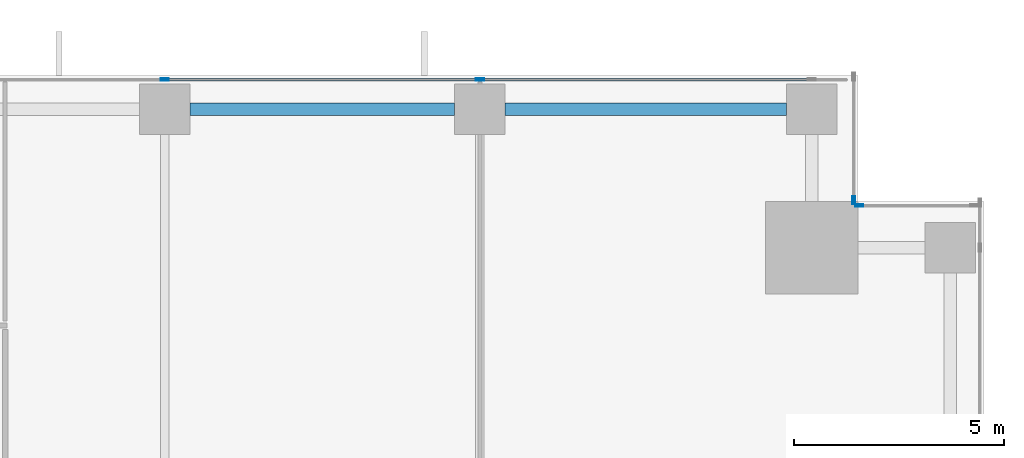
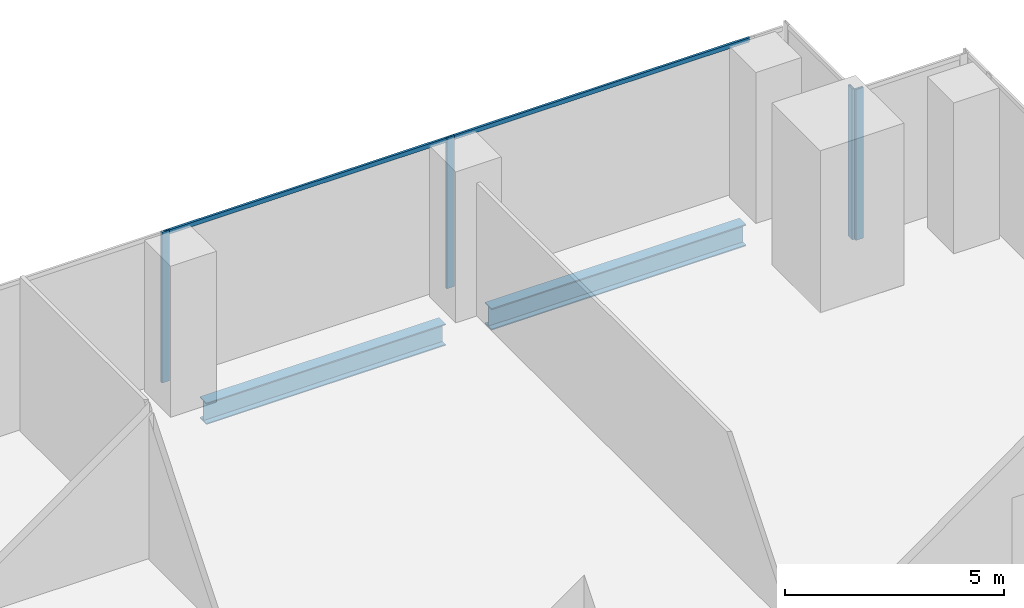
# One storey, part 18 of 32: 6 members, 2 beams, 3 elements without a shape of their own.
"""IFC4 building model written with IfcOpenShell, lengths in metres."""

from ifc_helpers import new_model, si_unit, direction, frame, origin, origin_2d, place, context, subcontext, project, spatial, hollow_rectangle, i_section, extrude, source, transform, mapped, material, material_profile, profile_set, type_object, element, aggregate, save


model = new_model("IFC4")

# Units and contexts
model_context = context("Model", 3, precision=1e-05, world=origin(), true_north=direction((0.0, 1.0)))
body_context = subcontext(model_context, "Body", "Model", "MODEL_VIEW")
ifc_project = project(units=[si_unit("LENGTHUNIT", "METRE"), si_unit("AREAUNIT", "SQUARE_METRE"), si_unit("VOLUMEUNIT", "CUBIC_METRE"), si_unit("PLANEANGLEUNIT", "RADIAN"), si_unit("MASSUNIT", "GRAM", prefix="KILO")], contexts=[model_context])

# Site, building, storey
site_placement = place(None, origin())
site = spatial("IfcSite", under=ifc_project, at=site_placement, CompositionType="ELEMENT")
building_placement = place(site_placement, origin())
building = spatial("IfcBuilding", under=site, at=building_placement, Name="Khomas Fold Tower", CompositionType="ELEMENT")
storey_placement = place(building_placement, frame((0.0, 0.0, 42.0)))
storey = spatial("IfcBuildingStorey", under=building, at=storey_placement, Name="L08", CompositionType="ELEMENT", Elevation=42.0)

# Beams
ifc_material_1 = material(Name="Steel S355", Category="steel")
ifc_material_profile_1 = material_profile(ifc_material_1, i_section(OverallWidth=0.300048828125, OverallDepth=0.60009765625, WebThickness=0.015380859375, FlangeThickness=0.030029296875, at=origin_2d()), Name="HE 600 B")
ifc_profile_set_1 = profile_set([ifc_material_profile_1], Name="Steel S355")
beam_type = type_object("IfcBeamType", Name="HE 600 B spandrel SB1", PredefinedType="SPANDREL", material=ifc_profile_set_1)
shared_shape_1 = source(origin(), body_context, "Body", "SweptSolid", [
    extrude(i_section(OverallWidth=0.300048828125, OverallDepth=0.60009765625, WebThickness=0.015380859375, FlangeThickness=0.030029296875, at=origin_2d()), origin(), (0.0, 0.0, 1.0), 6.699951171875),
])
beam_1_placement = place(storey_placement, frame((42.60009765625, 53.199951171875, -0.60009765625), z_axis=(1.0, 0.0, 0.0), x_axis=(0.0, 1.0, 0.0)))
element("IfcBeam", 1, at=beam_1_placement, inside=storey, type_object=beam_type, Name="SB1", PredefinedType="SPANDREL", context=body_context, shape_type="MappedRepresentation", body=[
    mapped(shared_shape_1, transform((0.0, 0.0, 0.0))),
])
shared_shape_2 = source(origin(), body_context, "Body", "SweptSolid", [
    extrude(i_section(OverallWidth=0.300048828125, OverallDepth=0.60009765625, WebThickness=0.015380859375, FlangeThickness=0.030029296875, at=origin_2d()), origin(), (0.0, 0.0, 1.0), 6.2998046875),
])
beam_2_placement = place(storey_placement, frame((35.10009765625, 53.199951171875, -0.60009765625), z_axis=(1.0, 0.0, 0.0), x_axis=(0.0, 1.0, 0.0)))
element("IfcBeam", 2, at=beam_2_placement, inside=storey, type_object=beam_type, Name="SB1", PredefinedType="SPANDREL", context=body_context, shape_type="MappedRepresentation", body=[
    mapped(shared_shape_2, transform((0.0, 0.0, 0.0))),
])

# Curtain wall, members
ifc_material_2 = material(Name="Aluminium framed double glazing", Category="aluminium")
curtain_wall_type = type_object("IfcCurtainWallType", Name="SK-Unitised clear-glass wall, growing floors CW1", PredefinedType="NOTDEFINED", material=ifc_material_2)
curtain_wall_1_placement = place(storey_placement, origin())
curtain_wall_1 = element("IfcCurtainWall", 3, at=curtain_wall_1_placement, inside=storey, type_object=curtain_wall_type, Name="CW1 run L08 06-0", PredefinedType="NOTDEFINED")
ifc_material_3 = material(Name="Aluminium", Category="aluminium")
ifc_material_profile_2 = material_profile(ifc_material_3, hollow_rectangle(XDim=0.06005859375, YDim=0.1201171875, WallThickness=0.00390625, at=origin_2d()), Name="SK-Unitised clear-glass wall, growing floors transom CW1-T")
ifc_profile_set_2 = profile_set([ifc_material_profile_2], Name="Aluminium")
member_type_1 = type_object("IfcMemberType", Name="SK-Unitised clear-glass wall, growing floors transom CW1-T", PredefinedType="USERDEFINED", material=ifc_profile_set_2)
shared_shape_3 = source(origin(), body_context, "Body", "SweptSolid", [
    extrude(hollow_rectangle(XDim=0.06005859375, YDim=0.1201171875, WallThickness=0.00390625, at=origin_2d()), origin(), (0.0, 0.0, 1.0), 7.840087890625),
])
member_1_placement = place(storey_placement, frame((49.8701171875, 53.89990234375, 4.139892578125), z_axis=(-1.0, 0.0, 0.0), x_axis=(0.0, -1.0, 0.0)))
member_1 = element("IfcMember", 4, at=member_1_placement, type_object=member_type_1, Name="CW1 transom 2", ObjectType="TRANSOM", PredefinedType="USERDEFINED", context=body_context, shape_type="MappedRepresentation", body=[
    mapped(shared_shape_3, transform((0.0, 0.0, 0.0))),
])
shared_shape_4 = source(origin(), body_context, "Body", "SweptSolid", [
    extrude(hollow_rectangle(XDim=0.06005859375, YDim=0.1201171875, WallThickness=0.00390625, at=origin_2d()), origin(), (0.0, 0.0, 1.0), 7.43994140625),
])
member_2_placement = place(storey_placement, frame((41.969970703125, 53.89990234375, 4.139892578125), z_axis=(-1.0, 0.0, 0.0), x_axis=(0.0, -1.0, 0.0)))
member_2 = element("IfcMember", 5, at=member_2_placement, type_object=member_type_1, Name="CW1 transom 3", ObjectType="TRANSOM", PredefinedType="USERDEFINED", context=body_context, shape_type="MappedRepresentation", body=[
    mapped(shared_shape_4, transform((0.0, 0.0, 0.0))),
])

# Curtain wall, member
curtain_wall_2_placement = place(storey_placement, origin())
curtain_wall_2 = element("IfcCurtainWall", 6, at=curtain_wall_2_placement, inside=storey, type_object=curtain_wall_type, Name="CW1 corner return L08 04", PredefinedType="NOTDEFINED")
ifc_material_4 = material(Name="Aluminium", Category="aluminium")
ifc_material_profile_3 = material_profile(ifc_material_4, hollow_rectangle(XDim=0.06005859375, YDim=0.199951171875, WallThickness=0.00390625, at=origin_2d()), Name="SK-Unitised clear-glass wall, growing floors mullion CW1-M")
ifc_profile_set_3 = profile_set([ifc_material_profile_3], Name="Aluminium")
member_type_2 = type_object("IfcMemberType", Name="SK-Unitised clear-glass wall, growing floors mullion CW1-M", PredefinedType="MULLION", material=ifc_profile_set_3)
shared_shape_5 = source(origin(), body_context, "Body", "SweptSolid", [
    extrude(hollow_rectangle(XDim=0.06005859375, YDim=0.199951171875, WallThickness=0.00390625, at=origin_2d()), origin(), (0.0, 0.0, 1.0), 4.199951171875),
])
member_3_placement = place(storey_placement, frame((51.030029296875, 50.89990234375, 0.0), z_axis=(0.0, 0.0, 1.0), x_axis=(0.0, -1.0, 0.0)))
member_3 = element("IfcMember", 7, at=member_3_placement, type_object=member_type_2, Name="CW1 mullion 2", PredefinedType="MULLION", context=body_context, shape_type="MappedRepresentation", body=[
    mapped(shared_shape_5, transform((0.0, 0.0, 0.0))),
])
aggregate(curtain_wall_2, [member_3])

curtain_wall_3_placement = place(storey_placement, origin())
curtain_wall_3 = element("IfcCurtainWall", 8, at=curtain_wall_3_placement, inside=storey, type_object=curtain_wall_type, Name="CW1 corner return L08 05", PredefinedType="NOTDEFINED")
member_4_placement = place(storey_placement, frame((50.89990234375, 51.030029296875, 0.0), z_axis=(0.0, 0.0, 1.0), x_axis=(-1.0, 0.0, 0.0)))
member_4 = element("IfcMember", 9, at=member_4_placement, type_object=member_type_2, Name="CW1 mullion 1", PredefinedType="MULLION", context=body_context, shape_type="MappedRepresentation", body=[
    mapped(shared_shape_5, transform((0.0, 0.0, 0.0))),
])
aggregate(curtain_wall_3, [member_4])

# Member
member_5_placement = place(storey_placement, frame((42.0, 53.89990234375, 0.0), z_axis=(0.0, 0.0, 1.0), x_axis=(0.0, -1.0, 0.0)))
member_5 = element("IfcMember", 10, at=member_5_placement, type_object=member_type_2, Name="CW1 mullion 3", PredefinedType="MULLION", context=body_context, shape_type="MappedRepresentation", body=[
    mapped(shared_shape_5, transform((0.0, 0.0, 0.0))),
])

member_6_placement = place(storey_placement, frame((34.5, 53.89990234375, 0.0), z_axis=(0.0, 0.0, 1.0), x_axis=(0.0, -1.0, 0.0)))
member_6 = element("IfcMember", 11, at=member_6_placement, type_object=member_type_2, Name="CW1 mullion 4", PredefinedType="MULLION", context=body_context, shape_type="MappedRepresentation", body=[
    mapped(shared_shape_5, transform((0.0, 0.0, 0.0))),
])

aggregate(curtain_wall_1, [member_5, member_6, member_1, member_2])

save(model, "model.ifc")
